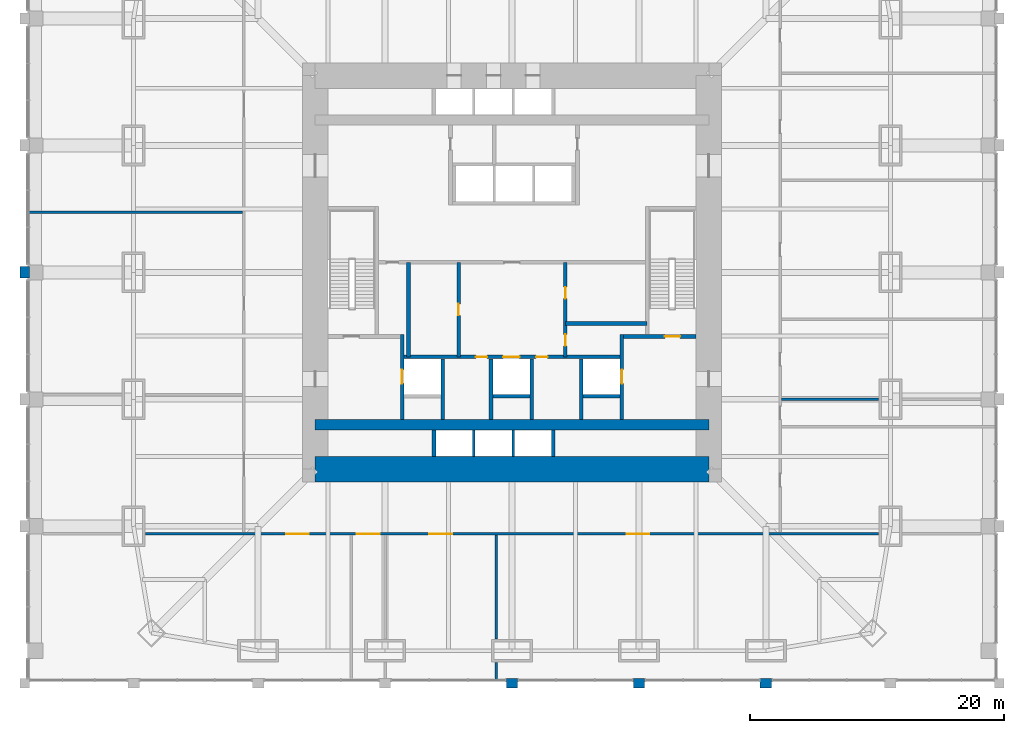
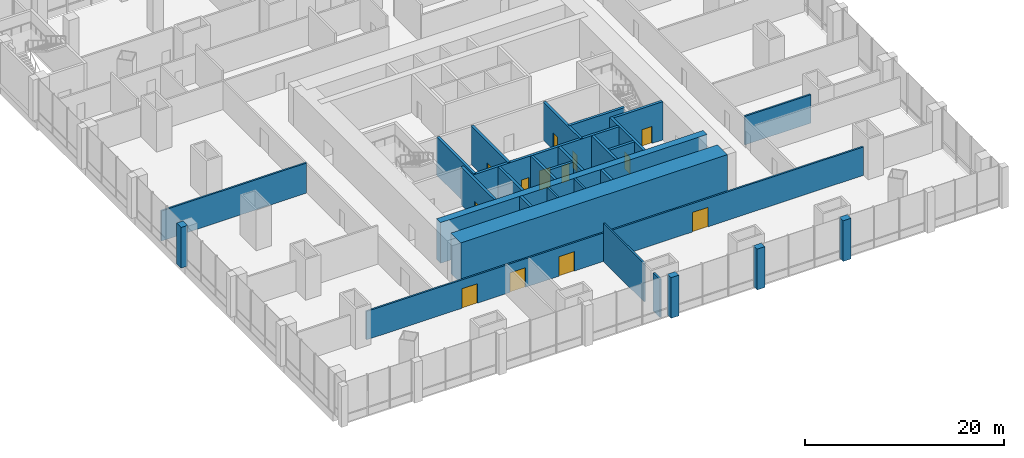
# One storey, part 17 of 24: 29 walls, 13 doors, 13 openings.
"""IFC4 building model written with IfcOpenShell, lengths in metres."""

from ifc_helpers import new_model, si_unit, direction, frame, frame_2d, origin, place, context, subcontext, project, spatial, rectangle, extrude, material, layer, layer_set, type_object, element, fill, save


model = new_model("IFC4")

# Units and contexts
model_context = context("Model", 3, precision=1e-05, world=origin(), true_north=direction((0.0, 1.0)))
body_context = subcontext(model_context, "Body", "Model", "MODEL_VIEW")
ifc_project = project(units=[si_unit("LENGTHUNIT", "METRE"), si_unit("AREAUNIT", "SQUARE_METRE"), si_unit("VOLUMEUNIT", "CUBIC_METRE"), si_unit("PLANEANGLEUNIT", "RADIAN"), si_unit("MASSUNIT", "GRAM", prefix="KILO")], contexts=[model_context])

# Site, building, storey
site_placement = place(None, origin())
site = spatial("IfcSite", under=ifc_project, at=site_placement, CompositionType="ELEMENT")
building_placement = place(site_placement, origin())
building = spatial("IfcBuilding", under=site, at=building_placement, Name="Khuree Lantern Residences", CompositionType="ELEMENT")
storey_placement = place(building_placement, frame((0.0, 0.0, 6.0)))
storey = spatial("IfcBuildingStorey", under=building, at=storey_placement, Name="L01", CompositionType="ELEMENT", Elevation=6.0)

# Wall, opening, door
ifc_material_1 = material(Name="Dense concrete blockwork", Category="masonry")
ifc_layer_1 = layer(ifc_material_1, 0.300048828125)
ifc_layer_set_1 = layer_set([ifc_layer_1], Name="CORE PARTITION WALL CPW300 EI 120")
wall_type_1 = type_object("IfcWallType", Name="CORE PARTITION WALL CPW300 EI 120", PredefinedType="PARTITIONING", material=ifc_layer_set_1)
wall_1_placement = place(storey_placement, frame((-8.64990234375, -11.60009765625, 0.0), z_axis=(0.0, 0.0, 1.0), x_axis=(0.0, 1.0, 0.0)))
wall_1 = element("IfcWall", 1, at=wall_1_placement, inside=storey, type_object=wall_type_1, Name="L01 CORE WALL FL1W", PredefinedType="PARTITIONING", context=body_context, shape_type="SweptSolid", body=[
    extrude(rectangle(XDim=6.7001953125, YDim=0.300048828125, at=frame_2d((3.35009765625, 0.0))), origin(), (0.0, 0.0, 1.0), 4.699951171875),
])
opening_1_placement = place(wall_1_placement, frame((2.85009765625, 0.0, 0.0)))
opening_1 = element("IfcOpeningElement", 2, at=opening_1_placement, cuts=wall_1, Name="Opening 01-007", PredefinedType="OPENING", context=body_context, shape_type="SweptSolid", body=[
    extrude(rectangle(XDim=1.10009765625, YDim=2.10009765625, at=frame_2d((0.550048828125, 1.050048828125))), frame((0.0, 0.16015625, 0.0), z_axis=(0.0, -1.0, 0.0), x_axis=(1.0, 0.0, 0.0)), (0.0, 0.0, 1.0), 0.320068359375),
])
ifc_material_2 = material(Name="Stainless steel lift landing door", Category="steel")
door_type_1 = type_object("IfcDoorType", Name="LIFT LANDING DOOR 1100X2100 E 120", OperationType="DOUBLE_DOOR_SLIDING", PredefinedType="DOOR", material=ifc_material_2)
door_1_placement = place(opening_1_placement, origin())
door_1 = element("IfcDoor", 3, at=door_1_placement, inside=storey, type_object=door_type_1, Name="Landing door FL1 01-007", OperationType="DOUBLE_DOOR_SLIDING", OverallHeight=2.10009765625, OverallWidth=1.10009765625, PredefinedType="DOOR", context=body_context, shape_type="SweptSolid", body=[
    extrude(rectangle(XDim=1.10009765625, YDim=2.10009765625, at=frame_2d((0.550048828125, 1.050048828125))), frame((0.0, 0.02490234375, 0.0), z_axis=(0.0, -1.0, 0.0), x_axis=(1.0, 0.0, 0.0)), (0.0, 0.0, 1.0), 0.050048828125),
])
fill(opening_1, door_1)

wall_2_placement = place(storey_placement, frame((8.64990234375, -11.60009765625, 0.0), z_axis=(0.0, 0.0, 1.0), x_axis=(0.0, 1.0, 0.0)))
wall_2 = element("IfcWall", 4, at=wall_2_placement, inside=storey, type_object=wall_type_1, Name="L01 CORE WALL FL2E", PredefinedType="PARTITIONING", context=body_context, shape_type="SweptSolid", body=[
    extrude(rectangle(XDim=6.7001953125, YDim=0.300048828125, at=frame_2d((3.35009765625, 0.0))), origin(), (0.0, 0.0, 1.0), 4.699951171875),
])
opening_2_placement = place(wall_2_placement, frame((2.85009765625, 0.0, 0.0)))
opening_2 = element("IfcOpeningElement", 5, at=opening_2_placement, cuts=wall_2, Name="Opening 01-008", PredefinedType="OPENING", context=body_context, shape_type="SweptSolid", body=[
    extrude(rectangle(XDim=1.10009765625, YDim=2.10009765625, at=frame_2d((0.550048828125, 1.050048828125))), frame((0.0, 0.16015625, 0.0), z_axis=(0.0, -1.0, 0.0), x_axis=(1.0, 0.0, 0.0)), (0.0, 0.0, 1.0), 0.320068359375),
])
door_2_placement = place(opening_2_placement, origin())
door_2 = element("IfcDoor", 6, at=door_2_placement, inside=storey, type_object=door_type_1, Name="Landing door FL2 01-008", OperationType="DOUBLE_DOOR_SLIDING", OverallHeight=2.10009765625, OverallWidth=1.10009765625, PredefinedType="DOOR", context=body_context, shape_type="SweptSolid", body=[
    extrude(rectangle(XDim=1.10009765625, YDim=2.10009765625, at=frame_2d((0.550048828125, 1.050048828125))), frame((0.0, 0.02490234375, 0.0), z_axis=(0.0, -1.0, 0.0), x_axis=(1.0, 0.0, 0.0)), (0.0, 0.0, 1.0), 0.050048828125),
])
fill(opening_2, door_2)

# Wall, openings, doors
wall_3_placement = place(storey_placement, frame((-8.5, -6.64990234375, 0.0), z_axis=(0.0, 0.0, 1.0), x_axis=(1.0, 0.0, 0.0)))
wall_3 = element("IfcWall", 7, at=wall_3_placement, inside=storey, type_object=wall_type_1, Name="L01 CORE WALL FLROW", PredefinedType="PARTITIONING", context=body_context, shape_type="SweptSolid", body=[
    extrude(rectangle(XDim=17.0, YDim=0.300048828125, at=frame_2d((8.5, 0.0))), origin(), (0.0, 0.0, 1.0), 4.699951171875),
])
opening_3_placement = place(wall_3_placement, frame((7.800048828125, 0.0, 0.0)))
opening_3 = element("IfcOpeningElement", 8, at=opening_3_placement, cuts=wall_3, Name="Opening 01-012", PredefinedType="OPENING", context=body_context, shape_type="SweptSolid", body=[
    extrude(rectangle(XDim=1.300048828125, YDim=2.39990234375, at=frame_2d((0.64990234375, 1.199951171875))), frame((0.0, 0.16015625, 0.0), z_axis=(0.0, -1.0, 0.0), x_axis=(1.0, 0.0, 0.0)), (0.0, 0.0, 1.0), 0.320068359375),
])
opening_4_placement = place(wall_3_placement, frame((5.64990234375, 0.0, 0.0)))
opening_4 = element("IfcOpeningElement", 9, at=opening_4_placement, cuts=wall_3, Name="Opening 01-014", PredefinedType="OPENING", context=body_context, shape_type="SweptSolid", body=[
    extrude(rectangle(XDim=0.89990234375, YDim=2.10009765625, at=frame_2d((0.449951171875, 1.050048828125))), frame((0.0, 0.16015625, 0.0), z_axis=(0.0, -1.0, 0.0), x_axis=(1.0, 0.0, 0.0)), (0.0, 0.0, 1.0), 0.320068359375),
])
opening_5_placement = place(wall_3_placement, frame((10.39990234375, 0.0, 0.0)))
opening_5 = element("IfcOpeningElement", 10, at=opening_5_placement, cuts=wall_3, Name="Opening 01-015", PredefinedType="OPENING", context=body_context, shape_type="SweptSolid", body=[
    extrude(rectangle(XDim=0.89990234375, YDim=2.10009765625, at=frame_2d((0.449951171875, 1.050048828125))), frame((0.0, 0.16015625, 0.0), z_axis=(0.0, -1.0, 0.0), x_axis=(1.0, 0.0, 0.0)), (0.0, 0.0, 1.0), 0.320068359375),
])
ifc_material_3 = material(Name="Steel door leaf in steel frame", Category="steel")
door_type_2 = type_object("IfcDoorType", Name="DOOR 900X2100 EI 60", OperationType="SINGLE_SWING_LEFT", PredefinedType="DOOR", material=ifc_material_3)
door_3_placement = place(opening_4_placement, origin())
door_3 = element("IfcDoor", 11, at=door_3_placement, inside=storey, type_object=door_type_2, Name="Electrical riser door 01-014", OperationType="SINGLE_SWING_LEFT", OverallHeight=2.10009765625, OverallWidth=0.89990234375, PredefinedType="DOOR", context=body_context, shape_type="SweptSolid", body=[
    extrude(rectangle(XDim=0.89990234375, YDim=2.10009765625, at=frame_2d((0.449951171875, 1.050048828125))), frame((0.0, 0.02490234375, 0.0), z_axis=(0.0, -1.0, 0.0), x_axis=(1.0, 0.0, 0.0)), (0.0, 0.0, 1.0), 0.050048828125),
])
fill(opening_4, door_3)
door_type_3 = type_object("IfcDoorType", Name="DOOR 900X2100 EI 60 RIGHT HAND", OperationType="SINGLE_SWING_RIGHT", PredefinedType="DOOR", material=ifc_material_3)
door_4_placement = place(opening_5_placement, origin())
door_4 = element("IfcDoor", 12, at=door_4_placement, inside=storey, type_object=door_type_3, Name="Plumbing riser door 01-015", OperationType="SINGLE_SWING_RIGHT", OverallHeight=2.10009765625, OverallWidth=0.89990234375, PredefinedType="DOOR", context=body_context, shape_type="SweptSolid", body=[
    extrude(rectangle(XDim=0.89990234375, YDim=2.10009765625, at=frame_2d((0.449951171875, 1.050048828125))), frame((0.0, 0.02490234375, 0.0), z_axis=(0.0, -1.0, 0.0), x_axis=(1.0, 0.0, 0.0)), (0.0, 0.0, 1.0), 0.050048828125),
])
fill(opening_5, door_4)
door_type_4 = type_object("IfcDoorType", Name="LIFT LANDING DOOR 1300X2400 E 60", OperationType="DOUBLE_DOOR_SLIDING", PredefinedType="DOOR", material=ifc_material_2)
door_5_placement = place(opening_3_placement, origin())
door_5 = element("IfcDoor", 13, at=door_5_placement, inside=storey, type_object=door_type_4, Name="Landing door SL1 01-012", OperationType="DOUBLE_DOOR_SLIDING", OverallHeight=2.39990234375, OverallWidth=1.300048828125, PredefinedType="DOOR", context=body_context, shape_type="SweptSolid", body=[
    extrude(rectangle(XDim=1.300048828125, YDim=2.39990234375, at=frame_2d((0.64990234375, 1.199951171875))), frame((0.0, 0.02490234375, 0.0), z_axis=(0.0, -1.0, 0.0), x_axis=(1.0, 0.0, 0.0)), (0.0, 0.0, 1.0), 0.050048828125),
])
fill(opening_3, door_5)

# Walls
for number, where, z_axis, x_axis, name in (
    (14, (-5.449951171875, -11.60009765625, 0.0), (0.0, 0.0, 1.0), (0.0, 1.0, 0.0), "L01 CORE WALL FL1E"),
    (15, (-1.64990234375, -11.60009765625, 0.0), (0.0, 0.0, 1.0), (0.0, 1.0, 0.0), "L01 CORE WALL SL1W"),
    (16, (1.550048828125, -11.60009765625, 0.0), (0.0, 0.0, 1.0), (0.0, 1.0, 0.0), "L01 CORE WALL SL1E"),
    (17, (5.449951171875, -11.60009765625, 0.0), (0.0, 0.0, 1.0), (0.0, 1.0, 0.0), "L01 CORE WALL FL2W"),
):
    element("IfcWall", number, at=place(storey_placement, frame(where, z_axis=z_axis, x_axis=x_axis)), inside=storey, type_object=wall_type_1, Name=name, PredefinedType="PARTITIONING", context=body_context, shape_type="SweptSolid", body=[
        extrude(rectangle(XDim=4.800048828125, YDim=0.300048828125, at=frame_2d((2.39990234375, 0.0))), origin(), (0.0, 0.0, 1.0), 4.699951171875),
    ])
for number, where, z_axis, x_axis, name in (
    (18, (-1.5, -9.75, 0.0), (0.0, 0.0, 1.0), (1.0, 0.0, 0.0), "L01 CORE WALL SL1S"),
    (19, (5.60009765625, -9.75, 0.0), (0.0, 0.0, 1.0), (1.0, 0.0, 0.0), "L01 CORE WALL FL2S"),
):
    element("IfcWall", number, at=place(storey_placement, frame(where, z_axis=z_axis, x_axis=x_axis)), inside=storey, type_object=wall_type_1, Name=name, PredefinedType="PARTITIONING", context=body_context, shape_type="SweptSolid", body=[
        extrude(rectangle(XDim=2.89990234375, YDim=0.300048828125, at=frame_2d((1.449951171875, 0.0))), origin(), (0.0, 0.0, 1.0), 4.699951171875),
    ])
for number, where, z_axis, x_axis, name in (
    (20, (-6.14990234375, -14.5, 0.0), (0.0, 0.0, 1.0), (0.0, 1.0, 0.0), "L01 CORE WALL PMW"),
    (21, (3.25, -14.5, 0.0), (0.0, 0.0, 1.0), (0.0, 1.0, 0.0), "L01 CORE WALL PME"),
):
    element("IfcWall", number, at=place(storey_placement, frame(where, z_axis=z_axis, x_axis=x_axis)), inside=storey, type_object=wall_type_1, Name=name, PredefinedType="PARTITIONING", context=body_context, shape_type="SweptSolid", body=[
        extrude(rectangle(XDim=2.10009765625, YDim=0.300048828125, at=frame_2d((1.050048828125, 0.0))), origin(), (0.0, 0.0, 1.0), 4.699951171875),
    ])

# Wall, opening, door
wall_4_placement = place(storey_placement, frame((-4.199951171875, -6.64990234375, 0.0), z_axis=(0.0, 0.0, 1.0), x_axis=(0.0, 1.0, 0.0)))
wall_4 = element("IfcWall", 22, at=wall_4_placement, inside=storey, type_object=wall_type_1, Name="L01 CORE WALL SVW", PredefinedType="PARTITIONING", context=body_context, shape_type="SweptSolid", body=[
    extrude(rectangle(XDim=7.449951171875, YDim=0.300048828125, at=frame_2d((3.72509765625, 0.0))), origin(), (0.0, 0.0, 1.0), 4.699951171875),
])
opening_6_placement = place(wall_4_placement, frame((3.27490234375, 0.0, 0.0)))
opening_6 = element("IfcOpeningElement", 23, at=opening_6_placement, cuts=wall_4, Name="Opening 01-016", PredefinedType="OPENING", context=body_context, shape_type="SweptSolid", body=[
    extrude(rectangle(XDim=0.89990234375, YDim=2.10009765625, at=frame_2d((0.449951171875, 1.050048828125))), frame((0.0, 0.16015625, 0.0), z_axis=(0.0, -1.0, 0.0), x_axis=(1.0, 0.0, 0.0)), (0.0, 0.0, 1.0), 0.320068359375),
])
ifc_material_4 = material(Name="Timber door leaf in hardwood frame", Category="wood")
door_type_5 = type_object("IfcDoorType", Name="DOOR 900X2100", OperationType="SINGLE_SWING_LEFT", PredefinedType="DOOR", material=ifc_material_4)
door_6_placement = place(opening_6_placement, origin())
door_6 = element("IfcDoor", 24, at=door_6_placement, inside=storey, type_object=door_type_5, Name="Store door 01-016", OperationType="SINGLE_SWING_LEFT", OverallHeight=2.10009765625, OverallWidth=0.89990234375, PredefinedType="DOOR", context=body_context, shape_type="SweptSolid", body=[
    extrude(rectangle(XDim=0.89990234375, YDim=2.10009765625, at=frame_2d((0.449951171875, 1.050048828125))), frame((0.0, 0.02490234375, 0.0), z_axis=(0.0, -1.0, 0.0), x_axis=(1.0, 0.0, 0.0)), (0.0, 0.0, 1.0), 0.050048828125),
])
fill(opening_6, door_6)

# Wall, openings, doors
wall_5_placement = place(storey_placement, frame((4.199951171875, -6.64990234375, 0.0), z_axis=(0.0, 0.0, 1.0), x_axis=(0.0, 1.0, 0.0)))
wall_5 = element("IfcWall", 25, at=wall_5_placement, inside=storey, type_object=wall_type_1, Name="L01 CORE WALL SVE", PredefinedType="PARTITIONING", context=body_context, shape_type="SweptSolid", body=[
    extrude(rectangle(XDim=7.449951171875, YDim=0.300048828125, at=frame_2d((3.72509765625, 0.0))), origin(), (0.0, 0.0, 1.0), 4.699951171875),
])
opening_7_placement = place(wall_5_placement, frame((0.865966796875, 0.0, 0.0)))
opening_7 = element("IfcOpeningElement", 26, at=opening_7_placement, cuts=wall_5, Name="Opening 01-018", PredefinedType="OPENING", context=body_context, shape_type="SweptSolid", body=[
    extrude(rectangle(XDim=0.89990234375, YDim=2.10009765625, at=frame_2d((0.449951171875, 1.050048828125))), frame((0.0, 0.16015625, 0.0), z_axis=(0.0, -1.0, 0.0), x_axis=(1.0, 0.0, 0.0)), (0.0, 0.0, 1.0), 0.320068359375),
])
opening_8_placement = place(wall_5_placement, frame((4.591064453125, 0.0, 0.0)))
opening_8 = element("IfcOpeningElement", 27, at=opening_8_placement, cuts=wall_5, Name="Opening 01-019", PredefinedType="OPENING", context=body_context, shape_type="SweptSolid", body=[
    extrude(rectangle(XDim=0.89990234375, YDim=2.10009765625, at=frame_2d((0.449951171875, 1.050048828125))), frame((0.0, 0.16015625, 0.0), z_axis=(0.0, -1.0, 0.0), x_axis=(1.0, 0.0, 0.0)), (0.0, 0.0, 1.0), 0.320068359375),
])
door_7_placement = place(opening_7_placement, origin())
door_7 = element("IfcDoor", 28, at=door_7_placement, inside=storey, type_object=door_type_5, Name="IT room door 01-018", OperationType="SINGLE_SWING_LEFT", OverallHeight=2.10009765625, OverallWidth=0.89990234375, PredefinedType="DOOR", context=body_context, shape_type="SweptSolid", body=[
    extrude(rectangle(XDim=0.89990234375, YDim=2.10009765625, at=frame_2d((0.449951171875, 1.050048828125))), frame((0.0, 0.02490234375, 0.0), z_axis=(0.0, -1.0, 0.0), x_axis=(1.0, 0.0, 0.0)), (0.0, 0.0, 1.0), 0.050048828125),
])
fill(opening_7, door_7)
door_type_6 = type_object("IfcDoorType", Name="DOOR 900X2100 RIGHT HAND", OperationType="SINGLE_SWING_RIGHT", PredefinedType="DOOR", material=ifc_material_4)
door_8_placement = place(opening_8_placement, origin())
door_8 = element("IfcDoor", 29, at=door_8_placement, inside=storey, type_object=door_type_6, Name="Store door 01-019", OperationType="SINGLE_SWING_RIGHT", OverallHeight=2.10009765625, OverallWidth=0.89990234375, PredefinedType="DOOR", context=body_context, shape_type="SweptSolid", body=[
    extrude(rectangle(XDim=0.89990234375, YDim=2.10009765625, at=frame_2d((0.449951171875, 1.050048828125))), frame((0.0, 0.02490234375, 0.0), z_axis=(0.0, -1.0, 0.0), x_axis=(1.0, 0.0, 0.0)), (0.0, 0.0, 1.0), 0.050048828125),
])
fill(opening_8, door_8)

# Walls
wall_6_placement = place(storey_placement, frame((-8.1630859375, -6.64990234375, 0.0), z_axis=(0.0, 0.0, 1.0), x_axis=(0.0, 1.0, 0.0)))
element("IfcWall", 30, at=wall_6_placement, inside=storey, type_object=wall_type_1, Name="L01 CORE WALL WV", PredefinedType="PARTITIONING", context=body_context, shape_type="SweptSolid", body=[
    extrude(rectangle(XDim=7.449951171875, YDim=0.300048828125, at=frame_2d((3.72509765625, 0.0))), origin(), (0.0, 0.0, 1.0), 4.699951171875),
])
wall_7_placement = place(storey_placement, frame((10.64990234375, -4.01806640625, 0.0), z_axis=(0.0, 0.0, 1.0), x_axis=(-1.0, 0.0, 0.0)))
element("IfcWall", 31, at=wall_7_placement, inside=storey, type_object=wall_type_1, Name="L01 CORE WALL EX", PredefinedType="PARTITIONING", context=body_context, shape_type="SweptSolid", body=[
    extrude(rectangle(XDim=6.449951171875, YDim=0.300048828125, at=frame_2d((3.22509765625, 0.0))), origin(), (0.0, 0.0, 1.0), 4.699951171875),
])
ifc_material_5 = material(Name="Concrete C70/85", Category="concrete")
ifc_layer_2 = layer(ifc_material_5, 2.0)
ifc_layer_set_2 = layer_set([ifc_layer_2], Name="CW2000-C70 CORE WALL C70 2000")
wall_type_2 = type_object("IfcWallType", Name="CW2000-C70 CORE WALL C70 2000", PredefinedType="SHEAR", material=ifc_layer_set_2)
wall_8_placement = place(storey_placement, frame((-15.5, -15.5, -0.300048828125), z_axis=(0.0, 0.0, 1.0), x_axis=(1.0, 0.0, 0.0)))
element("IfcWall", 32, at=wall_8_placement, inside=storey, type_object=wall_type_2, Name="Core wall S", PredefinedType="SHEAR", context=body_context, shape_type="SweptSolid", body=[
    extrude(rectangle(XDim=31.0, YDim=2.0, at=frame_2d((15.5, 0.0))), origin(), (0.0, 0.0, 1.0), 5.0),
])
ifc_material_6 = material(Name="Flamed granite cladding on blockwork", Category="masonry")
ifc_layer_3 = layer(ifc_material_6, 0.75)
ifc_layer_set_3 = layer_set([ifc_layer_3], Name="PODIUM PIER PR1 900X750")
wall_type_3 = type_object("IfcWallType", Name="PODIUM PIER PR1 900X750", PredefinedType="SOLIDWALL", material=ifc_layer_set_3)
for number, where, z_axis, x_axis, name in (
    (33, (-0.449951171875, -32.375, 0.0), (0.0, 0.0, 1.0), (1.0, 0.0, 0.0), "L01 SOUTH FACE PIER 4"),
    (34, (9.550048828125, -32.375, 0.0), (0.0, 0.0, 1.0), (1.0, 0.0, 0.0), "L01 SOUTH FACE PIER 5"),
    (35, (19.550048828125, -32.375, 0.0), (0.0, 0.0, 1.0), (1.0, 0.0, 0.0), "L01 SOUTH FACE PIER 6"),
    (36, (-38.375, 0.449951171875, 0.0), (0.0, 0.0, 1.0), (0.0, -1.0, 0.0), "L01 WEST FACE PIER 5"),
):
    element("IfcWall", number, at=place(storey_placement, frame(where, z_axis=z_axis, x_axis=x_axis)), inside=storey, type_object=wall_type_3, Name=name, PredefinedType="SOLIDWALL", context=body_context, shape_type="SweptSolid", body=[
        extrude(rectangle(XDim=0.89990234375, YDim=0.75, at=frame_2d((0.449951171875, 0.0))), origin(), (0.0, 0.0, 1.0), 5.0),
    ])
ifc_layer_4 = layer(ifc_material_1, 0.199951171875)
ifc_layer_set_4 = layer_set([ifc_layer_4], Name="ROOM WALL RMW200")
wall_type_4 = type_object("IfcWallType", Name="ROOM WALL RMW200", PredefinedType="SOLIDWALL", material=ifc_layer_set_4)
wall_9_placement = place(storey_placement, frame((-1.257080078125, -32.074951171875, 0.0), z_axis=(0.0, 0.0, 1.0), x_axis=(0.0, 1.0, 0.0)))
element("IfcWall", 37, at=wall_9_placement, inside=storey, type_object=wall_type_4, Name="L01 ROOM WALL 2", PredefinedType="SOLIDWALL", context=body_context, shape_type="SweptSolid", body=[
    extrude(rectangle(XDim=1.344970703125, YDim=0.199951171875, at=frame_2d((0.67236328125, 0.0))), origin(), (0.0, 0.0, 1.0), 4.699951171875),
])
wall_10_placement = place(storey_placement, frame((-1.257080078125, -28.869873046875, 0.0), z_axis=(0.0, 0.0, 1.0), x_axis=(0.0, 1.0, 0.0)))
element("IfcWall", 38, at=wall_10_placement, inside=storey, type_object=wall_type_4, Name="L01 ROOM WALL 5", PredefinedType="SOLIDWALL", context=body_context, shape_type="SweptSolid", body=[
    extrude(rectangle(XDim=8.178955078125, YDim=0.199951171875, at=frame_2d((4.08935546875, 0.0))), origin(), (0.0, 0.0, 1.0), 4.699951171875),
])

# Wall, openings, doors
wall_11_placement = place(storey_placement, frame((-28.869873046875, -20.591064453125, 0.0), z_axis=(0.0, 0.0, 1.0), x_axis=(1.0, 0.0, 0.0)))
wall_11 = element("IfcWall", 39, at=wall_11_placement, inside=storey, type_object=wall_type_4, Name="L01 ROOM WALL 7", PredefinedType="SOLIDWALL", context=body_context, shape_type="SweptSolid", body=[
    extrude(rectangle(XDim=57.73974609375, YDim=0.199951171875, at=frame_2d((28.869873046875, 0.0))), origin(), (0.0, 0.0, 1.0), 3.5),
])
opening_9_placement = place(wall_11_placement, frame((11.07080078125, 0.0, 0.0)))
opening_9 = element("IfcOpeningElement", 40, at=opening_9_placement, cuts=wall_11, Name="Opening 01-024", PredefinedType="OPENING", context=body_context, shape_type="SweptSolid", body=[
    extrude(rectangle(XDim=1.800048828125, YDim=2.39990234375, at=frame_2d((0.89990234375, 1.199951171875))), frame((0.0, 0.10986328125, 0.0), z_axis=(0.0, -1.0, 0.0), x_axis=(1.0, 0.0, 0.0)), (0.0, 0.0, 1.0), 0.219970703125),
])
opening_10_placement = place(wall_11_placement, frame((22.351318359375, 0.0, 0.0)))
opening_10 = element("IfcOpeningElement", 41, at=opening_10_placement, cuts=wall_11, Name="Opening 01-025", PredefinedType="OPENING", context=body_context, shape_type="SweptSolid", body=[
    extrude(rectangle(XDim=1.800048828125, YDim=2.39990234375, at=frame_2d((0.89990234375, 1.199951171875))), frame((0.0, 0.10986328125, 0.0), z_axis=(0.0, -1.0, 0.0), x_axis=(1.0, 0.0, 0.0)), (0.0, 0.0, 1.0), 0.219970703125),
])
opening_11_placement = place(wall_11_placement, frame((37.89697265625, 0.0, 0.0)))
opening_11 = element("IfcOpeningElement", 42, at=opening_11_placement, cuts=wall_11, Name="Opening 01-026", PredefinedType="OPENING", context=body_context, shape_type="SweptSolid", body=[
    extrude(rectangle(XDim=1.800048828125, YDim=2.39990234375, at=frame_2d((0.89990234375, 1.199951171875))), frame((0.0, 0.10986328125, 0.0), z_axis=(0.0, -1.0, 0.0), x_axis=(1.0, 0.0, 0.0)), (0.0, 0.0, 1.0), 0.219970703125),
])
opening_12_placement = place(wall_11_placement, frame((16.646484375, 0.0, 0.0)))
opening_12 = element("IfcOpeningElement", 43, at=opening_12_placement, cuts=wall_11, Name="Opening 01-047", PredefinedType="OPENING", context=body_context, shape_type="SweptSolid", body=[
    extrude(rectangle(XDim=1.800048828125, YDim=2.39990234375, at=frame_2d((0.89990234375, 1.199951171875))), frame((0.0, 0.10986328125, 0.0), z_axis=(0.0, -1.0, 0.0), x_axis=(1.0, 0.0, 0.0)), (0.0, 0.0, 1.0), 0.219970703125),
])
door_type_7 = type_object("IfcDoorType", Name="DOUBLE DOOR 1800X2400", OperationType="DOUBLE_DOOR_SINGLE_SWING", PredefinedType="DOOR", material=ifc_material_4)
door_9_placement = place(opening_9_placement, origin())
door_9 = element("IfcDoor", 44, at=door_9_placement, inside=storey, type_object=door_type_7, Name="Residents' lounge door 01-024", OperationType="DOUBLE_DOOR_SINGLE_SWING", OverallHeight=2.39990234375, OverallWidth=1.800048828125, PredefinedType="DOOR", context=body_context, shape_type="SweptSolid", body=[
    extrude(rectangle(XDim=1.800048828125, YDim=2.39990234375, at=frame_2d((0.89990234375, 1.199951171875))), frame((0.0, 0.02490234375, 0.0), z_axis=(0.0, -1.0, 0.0), x_axis=(1.0, 0.0, 0.0)), (0.0, 0.0, 1.0), 0.050048828125),
])
fill(opening_9, door_9)
door_10_placement = place(opening_10_placement, origin())
door_10 = element("IfcDoor", 45, at=door_10_placement, inside=storey, type_object=door_type_7, Name="Boardroom door 01-025", OperationType="DOUBLE_DOOR_SINGLE_SWING", OverallHeight=2.39990234375, OverallWidth=1.800048828125, PredefinedType="DOOR", context=body_context, shape_type="SweptSolid", body=[
    extrude(rectangle(XDim=1.800048828125, YDim=2.39990234375, at=frame_2d((0.89990234375, 1.199951171875))), frame((0.0, 0.02490234375, 0.0), z_axis=(0.0, -1.0, 0.0), x_axis=(1.0, 0.0, 0.0)), (0.0, 0.0, 1.0), 0.050048828125),
])
fill(opening_10, door_10)
door_11_placement = place(opening_11_placement, origin())
door_11 = element("IfcDoor", 46, at=door_11_placement, inside=storey, type_object=door_type_7, Name="Business centre door 01-026", OperationType="DOUBLE_DOOR_SINGLE_SWING", OverallHeight=2.39990234375, OverallWidth=1.800048828125, PredefinedType="DOOR", context=body_context, shape_type="SweptSolid", body=[
    extrude(rectangle(XDim=1.800048828125, YDim=2.39990234375, at=frame_2d((0.89990234375, 1.199951171875))), frame((0.0, 0.02490234375, 0.0), z_axis=(0.0, -1.0, 0.0), x_axis=(1.0, 0.0, 0.0)), (0.0, 0.0, 1.0), 0.050048828125),
])
fill(opening_11, door_11)
door_12_placement = place(opening_12_placement, origin())
door_12 = element("IfcDoor", 47, at=door_12_placement, inside=storey, type_object=door_type_7, Name="Boardroom pantry door 01-047", OperationType="DOUBLE_DOOR_SINGLE_SWING", OverallHeight=2.39990234375, OverallWidth=1.800048828125, PredefinedType="DOOR", context=body_context, shape_type="SweptSolid", body=[
    extrude(rectangle(XDim=1.800048828125, YDim=2.39990234375, at=frame_2d((0.89990234375, 1.199951171875))), frame((0.0, 0.02490234375, 0.0), z_axis=(0.0, -1.0, 0.0), x_axis=(1.0, 0.0, 0.0)), (0.0, 0.0, 1.0), 0.050048828125),
])
fill(opening_12, door_12)

# Walls
wall_12_placement = place(storey_placement, frame((21.2109375, -10.0, 0.0), z_axis=(0.0, 0.0, 1.0), x_axis=(1.0, 0.0, 0.0)))
element("IfcWall", 48, at=wall_12_placement, inside=storey, type_object=wall_type_4, Name="L01 ROOM WALL 12", PredefinedType="SOLIDWALL", context=body_context, shape_type="SweptSolid", body=[
    extrude(rectangle(XDim=7.658935546875, YDim=0.199951171875, at=frame_2d((3.82958984375, 0.0))), origin(), (0.0, 0.0, 1.0), 3.5),
])
wall_13_placement = place(storey_placement, frame((-38.074951171875, 4.742919921875, 0.0), z_axis=(0.0, 0.0, 1.0), x_axis=(1.0, 0.0, 0.0)))
element("IfcWall", 49, at=wall_13_placement, inside=storey, type_object=wall_type_4, Name="L01 ROOM WALL 17", PredefinedType="SOLIDWALL", context=body_context, shape_type="SweptSolid", body=[
    extrude(rectangle(XDim=16.864013671875, YDim=0.199951171875, at=frame_2d((8.43212890625, 0.0))), origin(), (0.0, 0.0, 1.0), 3.699951171875),
])
ifc_layer_5 = layer(ifc_material_1, 0.199951171875)
ifc_layer_set_5 = layer_set([ifc_layer_5], Name="SHAFT WALL SHW200 EI 120")
wall_type_5 = type_object("IfcWallType", Name="SHAFT WALL SHW200 EI 120", PredefinedType="PARTITIONING", material=ifc_layer_set_5)
for number, where, z_axis, x_axis, name in (
    (50, (-3.0, -14.5, 0.0), (0.0, 0.0, 1.0), (0.0, 1.0, 0.0), "L01 CORE WALL PMD1"),
    (51, (0.10009765625, -14.5, 0.0), (0.0, 0.0, 1.0), (0.0, 1.0, 0.0), "L01 CORE WALL PMD2"),
):
    element("IfcWall", number, at=place(storey_placement, frame(where, z_axis=z_axis, x_axis=x_axis)), inside=storey, type_object=wall_type_5, Name=name, PredefinedType="PARTITIONING", context=body_context, shape_type="SweptSolid", body=[
        extrude(rectangle(XDim=2.10009765625, YDim=0.199951171875, at=frame_2d((1.050048828125, 0.0))), origin(), (0.0, 0.0, 1.0), 4.699951171875),
    ])
ifc_layer_6 = layer(ifc_material_5, 0.800048828125)
ifc_layer_set_6 = layer_set([ifc_layer_6], Name="SP800-C70 CORE SPINE WALL C70 800")
wall_type_6 = type_object("IfcWallType", Name="SP800-C70 CORE SPINE WALL C70 800", PredefinedType="SHEAR", material=ifc_layer_set_6)
wall_14_placement = place(storey_placement, frame((-15.5, -12.0, -0.300048828125), z_axis=(0.0, 0.0, 1.0), x_axis=(1.0, 0.0, 0.0)))
element("IfcWall", 52, at=wall_14_placement, inside=storey, type_object=wall_type_6, Name="Core wall SPS", PredefinedType="SHEAR", context=body_context, shape_type="SweptSolid", body=[
    extrude(rectangle(XDim=31.0, YDim=0.800048828125, at=frame_2d((15.5, 0.0))), origin(), (0.0, 0.0, 1.0), 5.0),
])

# Wall, opening, door
ifc_material_7 = material(Name="Concrete C50/60", Category="concrete")
ifc_layer_7 = layer(ifc_material_7, 0.300048828125)
ifc_layer_set_7 = layer_set([ifc_layer_7], Name="STAIR WALL SRW300 C50/60 REI 240")
wall_type_7 = type_object("IfcWallType", Name="STAIR WALL SRW300 C50/60 REI 240", PredefinedType="SOLIDWALL", material=ifc_layer_set_7)
wall_15_placement = place(storey_placement, frame((14.5, -5.050048828125, 0.0), z_axis=(0.0, 0.0, 1.0), x_axis=(-1.0, 0.0, 0.0)))
wall_15 = element("IfcWall", 53, at=wall_15_placement, inside=storey, type_object=wall_type_7, Name="L01 STAIR WALL ST2S", PredefinedType="SOLIDWALL", context=body_context, shape_type="SweptSolid", body=[
    extrude(rectangle(XDim=5.699951171875, YDim=0.300048828125, at=frame_2d((2.85009765625, 0.0))), origin(), (0.0, 0.0, 1.0), 4.699951171875),
])
opening_13_placement = place(wall_15_placement, frame((1.25, 0.0, 0.0)))
opening_13 = element("IfcOpeningElement", 54, at=opening_13_placement, cuts=wall_15, Name="Opening 01-004", PredefinedType="OPENING", context=body_context, shape_type="SweptSolid", body=[
    extrude(rectangle(XDim=1.199951171875, YDim=2.10009765625, at=frame_2d((0.60009765625, 1.050048828125))), frame((0.0, 0.16015625, 0.0), z_axis=(0.0, -1.0, 0.0), x_axis=(1.0, 0.0, 0.0)), (0.0, 0.0, 1.0), 0.320068359375),
])
door_type_8 = type_object("IfcDoorType", Name="STAIR DOOR 1200X2100 EI 120", OperationType="SINGLE_SWING_LEFT", PredefinedType="DOOR", material=ifc_material_3)
door_13_placement = place(opening_13_placement, origin())
door_13 = element("IfcDoor", 55, at=door_13_placement, inside=storey, type_object=door_type_8, Name="Stair ST2 door 01-004", OperationType="SINGLE_SWING_LEFT", OverallHeight=2.10009765625, OverallWidth=1.199951171875, PredefinedType="DOOR", context=body_context, shape_type="SweptSolid", body=[
    extrude(rectangle(XDim=1.199951171875, YDim=2.10009765625, at=frame_2d((0.60009765625, 1.050048828125))), frame((0.0, 0.02490234375, 0.0), z_axis=(0.0, -1.0, 0.0), x_axis=(1.0, 0.0, 0.0)), (0.0, 0.0, 1.0), 0.050048828125),
])
fill(opening_13, door_13)

save(model, "model.ifc")
